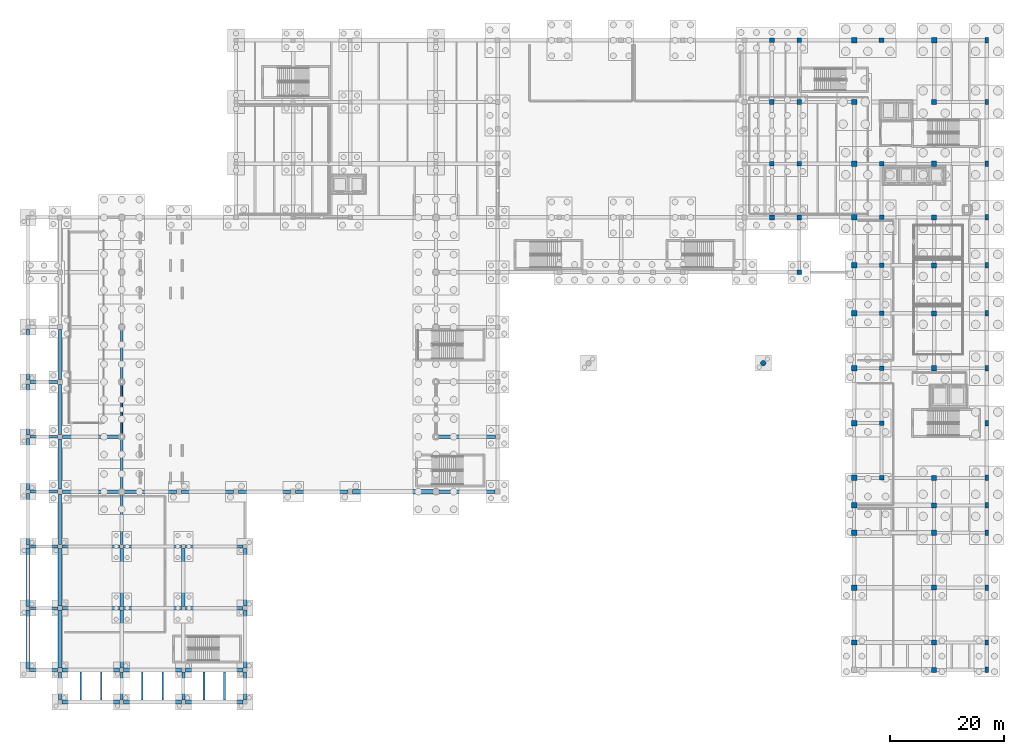
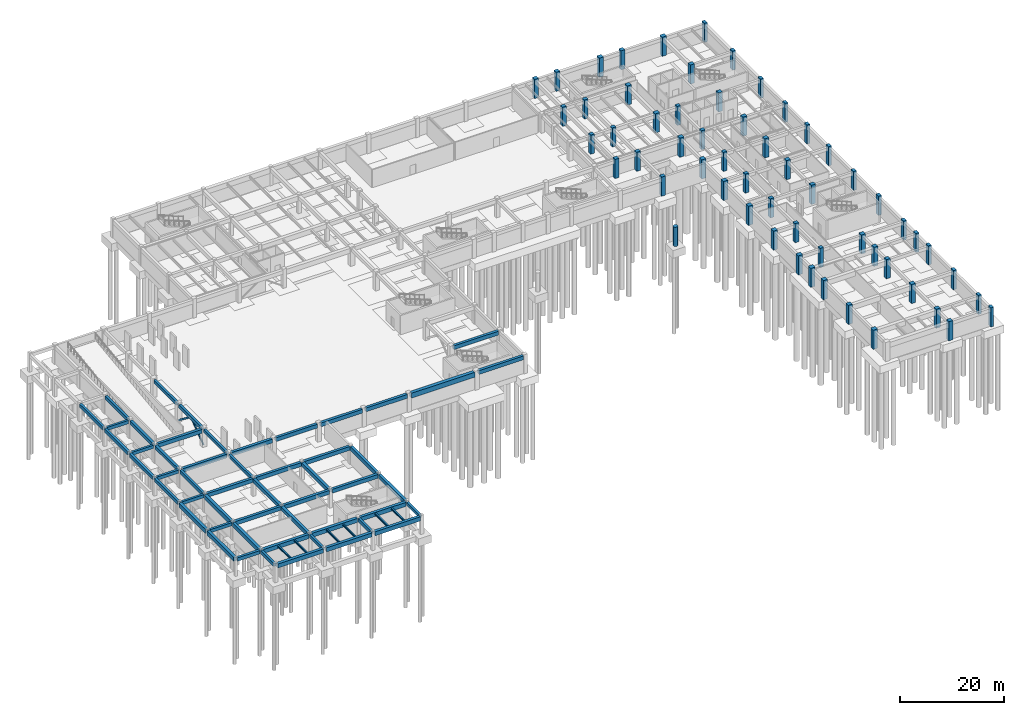
# One storey, part 8 of 33: 58 beams, 58 columns, 2 members.
"""IFC4 building model written with IfcOpenShell, lengths in metres."""

from ifc_helpers import new_model, si_unit, direction, frame, origin, origin_2d, place, context, subcontext, project, spatial, rectangle, hollow_rectangle, circle, i_section, extrude, material, material_profile, profile_set, type_object, element, save


model = new_model("IFC4")

# Units and contexts
model_context = context("Model", 3, precision=1e-05, world=origin(), true_north=direction((0.0, 1.0)))
body_context = subcontext(model_context, "Body", "Model", "MODEL_VIEW")
ifc_project = project(units=[si_unit("LENGTHUNIT", "METRE"), si_unit("AREAUNIT", "SQUARE_METRE"), si_unit("VOLUMEUNIT", "CUBIC_METRE"), si_unit("PLANEANGLEUNIT", "RADIAN"), si_unit("MASSUNIT", "GRAM", prefix="KILO")], contexts=[model_context])

# Site, building, storey
site_placement = place(None, origin())
site = spatial("IfcSite", under=ifc_project, at=site_placement, CompositionType="ELEMENT")
building_placement = place(site_placement, origin())
building = spatial("IfcBuilding", under=site, at=building_placement, Name="Veldera Park Congress Hotel", CompositionType="ELEMENT")
storey_placement = place(building_placement, frame((0.0, 0.0, -4.5)))
storey = spatial("IfcBuildingStorey", under=building, at=storey_placement, Name="B1", CompositionType="ELEMENT", Elevation=-4.5)

# Columns
ifc_material_1 = material(Name="Concrete f'c 50 MPa (7,250 psi)", Category="concrete")
ifc_material_profile_1 = material_profile(ifc_material_1, rectangle(XDim=0.64990234375, YDim=0.949951171875, at=origin_2d()), Name="RC 650x950")
ifc_profile_set_1 = profile_set([ifc_material_profile_1], Name="Concrete f'c 50 MPa (7,250 psi)")
column_type_1 = type_object("IfcColumnType", Name="COL-PIL90E", PredefinedType="PILASTER", material=ifc_profile_set_1)
for number, where, z_axis, x_axis, name in (
    (1, (84.0, -52.199951171875, 0.0), (0.0, 0.0, 1.0), (1.0, 0.0, 0.0), "B1 Column COL-PIL90E (84.0,-52.2)"),
    (2, (84.0, -47.39990234375, 0.0), (0.0, 0.0, 1.0), (1.0, 0.0, 0.0), "B1 Column COL-PIL90E (84.0,-47.4)"),
    (3, (84.0, -37.800048828125, 0.0), (0.0, 0.0, 1.0), (1.0, 0.0, 0.0), "B1 Column COL-PIL90E (84.0,-37.8)"),
    (4, (84.0, -28.199951171875, 0.0), (0.0, 0.0, 1.0), (1.0, 0.0, 0.0), "B1 Column COL-PIL90E (84.0,-28.2)"),
    (5, (84.0, -23.39990234375, 0.0), (0.0, 0.0, 1.0), (1.0, 0.0, 0.0), "B1 Column COL-PIL90E (84.0,-23.4)"),
    (6, (84.0, -18.60009765625, 0.0), (0.0, 0.0, 1.0), (1.0, 0.0, 0.0), "B1 Column COL-PIL90E (84.0,-18.6)"),
    (7, (84.0, -9.0, 0.0), (0.0, 0.0, 1.0), (1.0, 0.0, 0.0), "B1 Column COL-PIL90E (84.0,-9.0)"),
    (8, (84.0, 0.60009765625, 0.0), (0.0, 0.0, 1.0), (1.0, 0.0, 0.0), "B1 Column COL-PIL90E (84.0,0.6)"),
    (9, (84.0, 10.199951171875, 0.0), (0.0, 0.0, 1.0), (1.0, 0.0, 0.0), "B1 Column COL-PIL90E (84.0,10.2)"),
    (10, (84.0, 18.60009765625, 0.0), (0.0, 0.0, 1.0), (1.0, 0.0, 0.0), "B1 Column COL-PIL90E (84.0,18.6)"),
    (11, (84.0, 27.0, 0.0), (0.0, 0.0, 1.0), (1.0, 0.0, 0.0), "B1 Column COL-PIL90E (84.0,27.0)"),
    (12, (84.0, 36.39990234375, 0.0), (0.0, 0.0, 1.0), (1.0, 0.0, 0.0), "B1 Column COL-PIL90E (84.0,36.4)"),
    (13, (84.0, 47.199951171875, 0.0), (0.0, 0.0, 1.0), (1.0, 0.0, 0.0), "B1 Column COL-PIL90E (84.0,47.2)"),
    (14, (84.0, 58.0, 0.0), (0.0, 0.0, 1.0), (1.0, 0.0, 0.0), "B1 Column COL-PIL90E (84.0,58.0)"),
):
    element("IfcColumn", number, at=place(storey_placement, frame(where, z_axis=z_axis, x_axis=x_axis)), inside=storey, type_object=column_type_1, Name=name, PredefinedType="PILASTER", context=body_context, shape_type="SweptSolid", body=[
        extrude(rectangle(XDim=0.64990234375, YDim=0.949951171875, at=origin_2d()), origin(), (0.0, 0.0, 1.0), 4.5),
    ])
ifc_material_profile_2 = material_profile(ifc_material_1, rectangle(XDim=0.800048828125, YDim=0.800048828125, at=origin_2d()), Name="RC 800x800")
ifc_profile_set_2 = profile_set([ifc_material_profile_2], Name="Concrete f'c 50 MPa (7,250 psi)")
column_type_2 = type_object("IfcColumnType", Name="COL-RC80", PredefinedType="COLUMN", material=ifc_profile_set_2)
for number, where, z_axis, x_axis, name in (
    (15, (65.60009765625, -18.60009765625, 0.0), (0.0, 0.0, 1.0), (1.0, 0.0, 0.0), "B1 Column COL-RC80 (65.6,-18.6)"),
    (16, (65.60009765625, -9.0, 0.0), (0.0, 0.0, 1.0), (1.0, 0.0, 0.0), "B1 Column COL-RC80 (65.6,-9.0)"),
    (17, (65.60009765625, 0.60009765625, 0.0), (0.0, 0.0, 1.0), (1.0, 0.0, 0.0), "B1 Column COL-RC80 (65.6,0.6)"),
    (18, (65.60009765625, 10.199951171875, 0.0), (0.0, 0.0, 1.0), (1.0, 0.0, 0.0), "B1 Column COL-RC80 (65.6,10.2)"),
    (19, (65.60009765625, 18.60009765625, 0.0), (0.0, 0.0, 1.0), (1.0, 0.0, 0.0), "B1 Column COL-RC80 (65.6,18.6)"),
    (20, (65.60009765625, 27.0, 0.0), (0.0, 0.0, 1.0), (1.0, 0.0, 0.0), "B1 Column COL-RC80 (65.6,27.0)"),
    (21, (65.60009765625, 36.39990234375, 0.0), (0.0, 0.0, 1.0), (1.0, 0.0, 0.0), "B1 Column COL-RC80 (65.6,36.4)"),
    (22, (46.39990234375, 36.39990234375, 0.0), (0.0, 0.0, 1.0), (1.0, 0.0, 0.0), "B1 Column COL-RC80 (46.4,36.4)"),
    (23, (46.39990234375, 47.199951171875, 0.0), (0.0, 0.0, 1.0), (1.0, 0.0, 0.0), "B1 Column COL-RC80 (46.4,47.2)"),
    (24, (51.199951171875, 36.39990234375, 0.0), (0.0, 0.0, 1.0), (1.0, 0.0, 0.0), "B1 Column COL-RC80 (51.2,36.4)"),
    (25, (51.199951171875, 47.199951171875, 0.0), (0.0, 0.0, 1.0), (1.0, 0.0, 0.0), "B1 Column COL-RC80 (51.2,47.2)"),
):
    element("IfcColumn", number, at=place(storey_placement, frame(where, z_axis=z_axis, x_axis=x_axis)), inside=storey, type_object=column_type_2, Name=name, PredefinedType="COLUMN", context=body_context, shape_type="SweptSolid", body=[
        extrude(rectangle(XDim=0.800048828125, YDim=0.800048828125, at=origin_2d()), origin(), (0.0, 0.0, 1.0), 4.5),
    ])
ifc_material_profile_3 = material_profile(ifc_material_1, rectangle(XDim=0.85009765625, YDim=0.85009765625, at=origin_2d()), Name="RC 850x850")
ifc_profile_set_3 = profile_set([ifc_material_profile_3], Name="Concrete f'c 50 MPa (7,250 psi)")
column_type_3 = type_object("IfcColumnType", Name="COL-RC80E", PredefinedType="COLUMN", material=ifc_profile_set_3)
for number, where, z_axis, x_axis, name in (
    (26, (65.60009765625, 58.0, 0.0), (0.0, 0.0, 1.0), (1.0, 0.0, 0.0), "B1 Column COL-RC80E (65.6,58.0)"),
    (27, (46.39990234375, 27.0, 0.0), (0.0, 0.0, 1.0), (1.0, 0.0, 0.0), "B1 Column COL-RC80E (46.4,27.0)"),
    (28, (46.39990234375, 58.0, 0.0), (0.0, 0.0, 1.0), (1.0, 0.0, 0.0), "B1 Column COL-RC80E (46.4,58.0)"),
    (29, (51.199951171875, 17.39990234375, 0.0), (0.0, 0.0, 1.0), (1.0, 0.0, 0.0), "B1 Column COL-RC80E (51.2,17.4)"),
    (30, (51.199951171875, 27.0, 0.0), (0.0, 0.0, 1.0), (1.0, 0.0, 0.0), "B1 Column COL-RC80E (51.2,27.0)"),
    (31, (51.199951171875, 58.0, 0.0), (0.0, 0.0, 1.0), (1.0, 0.0, 0.0), "B1 Column COL-RC80E (51.2,58.0)"),
):
    element("IfcColumn", number, at=place(storey_placement, frame(where, z_axis=z_axis, x_axis=x_axis)), inside=storey, type_object=column_type_3, Name=name, PredefinedType="COLUMN", context=body_context, shape_type="SweptSolid", body=[
        extrude(rectangle(XDim=0.85009765625, YDim=0.85009765625, at=origin_2d()), origin(), (0.0, 0.0, 1.0), 4.5),
    ])
ifc_material_profile_4 = material_profile(ifc_material_1, rectangle(XDim=0.89990234375, YDim=0.89990234375, at=origin_2d()), Name="RC 900x900")
ifc_profile_set_4 = profile_set([ifc_material_profile_4], Name="Concrete f'c 50 MPa (7,250 psi)")
column_type_4 = type_object("IfcColumnType", Name="COL-RC90", PredefinedType="COLUMN", material=ifc_profile_set_4)
for number, where, z_axis, x_axis, name in (
    (32, (74.800048828125, -52.199951171875, 0.0), (0.0, 0.0, 1.0), (1.0, 0.0, 0.0), "B1 Column COL-RC90 (74.8,-52.2)"),
    (33, (74.800048828125, -47.39990234375, 0.0), (0.0, 0.0, 1.0), (1.0, 0.0, 0.0), "B1 Column COL-RC90 (74.8,-47.4)"),
    (34, (74.800048828125, -37.800048828125, 0.0), (0.0, 0.0, 1.0), (1.0, 0.0, 0.0), "B1 Column COL-RC90 (74.8,-37.8)"),
    (35, (74.800048828125, -28.199951171875, 0.0), (0.0, 0.0, 1.0), (1.0, 0.0, 0.0), "B1 Column COL-RC90 (74.8,-28.2)"),
    (36, (74.800048828125, -23.39990234375, 0.0), (0.0, 0.0, 1.0), (1.0, 0.0, 0.0), "B1 Column COL-RC90 (74.8,-23.4)"),
    (37, (74.800048828125, -18.60009765625, 0.0), (0.0, 0.0, 1.0), (1.0, 0.0, 0.0), "B1 Column COL-RC90 (74.8,-18.6)"),
    (38, (74.800048828125, 0.60009765625, 0.0), (0.0, 0.0, 1.0), (1.0, 0.0, 0.0), "B1 Column COL-RC90 (74.8,0.6)"),
    (39, (74.800048828125, 10.199951171875, 0.0), (0.0, 0.0, 1.0), (1.0, 0.0, 0.0), "B1 Column COL-RC90 (74.8,10.2)"),
    (40, (74.800048828125, 18.60009765625, 0.0), (0.0, 0.0, 1.0), (1.0, 0.0, 0.0), "B1 Column COL-RC90 (74.8,18.6)"),
    (41, (74.800048828125, 27.0, 0.0), (0.0, 0.0, 1.0), (1.0, 0.0, 0.0), "B1 Column COL-RC90 (74.8,27.0)"),
    (42, (74.800048828125, 36.39990234375, 0.0), (0.0, 0.0, 1.0), (1.0, 0.0, 0.0), "B1 Column COL-RC90 (74.8,36.4)"),
    (43, (74.800048828125, 47.199951171875, 0.0), (0.0, 0.0, 1.0), (1.0, 0.0, 0.0), "B1 Column COL-RC90 (74.8,47.2)"),
):
    element("IfcColumn", number, at=place(storey_placement, frame(where, z_axis=z_axis, x_axis=x_axis)), inside=storey, type_object=column_type_4, Name=name, PredefinedType="COLUMN", context=body_context, shape_type="SweptSolid", body=[
        extrude(rectangle(XDim=0.89990234375, YDim=0.89990234375, at=origin_2d()), origin(), (0.0, 0.0, 1.0), 4.5),
    ])
ifc_material_profile_5 = material_profile(ifc_material_1, rectangle(XDim=0.949951171875, YDim=0.949951171875, at=origin_2d()), Name="RC 950x950")
ifc_profile_set_5 = profile_set([ifc_material_profile_5], Name="Concrete f'c 50 MPa (7,250 psi)")
column_type_5 = type_object("IfcColumnType", Name="COL-RC90E", PredefinedType="COLUMN", material=ifc_profile_set_5)
for number, where, z_axis, x_axis, name in (
    (44, (60.800048828125, -47.39990234375, 0.0), (0.0, 0.0, 1.0), (1.0, 0.0, 0.0), "B1 Column COL-RC90E (60.8,-47.4)"),
    (45, (60.800048828125, -37.800048828125, 0.0), (0.0, 0.0, 1.0), (1.0, 0.0, 0.0), "B1 Column COL-RC90E (60.8,-37.8)"),
    (46, (60.800048828125, -28.199951171875, 0.0), (0.0, 0.0, 1.0), (1.0, 0.0, 0.0), "B1 Column COL-RC90E (60.8,-28.2)"),
    (47, (60.800048828125, -23.39990234375, 0.0), (0.0, 0.0, 1.0), (1.0, 0.0, 0.0), "B1 Column COL-RC90E (60.8,-23.4)"),
    (48, (60.800048828125, -18.60009765625, 0.0), (0.0, 0.0, 1.0), (1.0, 0.0, 0.0), "B1 Column COL-RC90E (60.8,-18.6)"),
    (49, (60.800048828125, -9.0, 0.0), (0.0, 0.0, 1.0), (1.0, 0.0, 0.0), "B1 Column COL-RC90E (60.8,-9.0)"),
    (50, (60.800048828125, 0.60009765625, 0.0), (0.0, 0.0, 1.0), (1.0, 0.0, 0.0), "B1 Column COL-RC90E (60.8,0.6)"),
    (51, (60.800048828125, 10.199951171875, 0.0), (0.0, 0.0, 1.0), (1.0, 0.0, 0.0), "B1 Column COL-RC90E (60.8,10.2)"),
    (52, (60.800048828125, 18.60009765625, 0.0), (0.0, 0.0, 1.0), (1.0, 0.0, 0.0), "B1 Column COL-RC90E (60.8,18.6)"),
    (53, (60.800048828125, 27.0, 0.0), (0.0, 0.0, 1.0), (1.0, 0.0, 0.0), "B1 Column COL-RC90E (60.8,27.0)"),
    (54, (60.800048828125, 36.39990234375, 0.0), (0.0, 0.0, 1.0), (1.0, 0.0, 0.0), "B1 Column COL-RC90E (60.8,36.4)"),
    (55, (60.800048828125, 47.199951171875, 0.0), (0.0, 0.0, 1.0), (1.0, 0.0, 0.0), "B1 Column COL-RC90E (60.8,47.2)"),
    (56, (60.800048828125, 58.0, 0.0), (0.0, 0.0, 1.0), (1.0, 0.0, 0.0), "B1 Column COL-RC90E (60.8,58.0)"),
    (57, (74.800048828125, 58.0, 0.0), (0.0, 0.0, 1.0), (1.0, 0.0, 0.0), "B1 Column COL-RC90E (74.8,58.0)"),
):
    element("IfcColumn", number, at=place(storey_placement, frame(where, z_axis=z_axis, x_axis=x_axis)), inside=storey, type_object=column_type_5, Name=name, PredefinedType="COLUMN", context=body_context, shape_type="SweptSolid", body=[
        extrude(rectangle(XDim=0.949951171875, YDim=0.949951171875, at=origin_2d()), origin(), (0.0, 0.0, 1.0), 4.5),
    ])
ifc_material_profile_6 = material_profile(ifc_material_1, circle(Radius=0.47509765625, at=origin_2d()), Name="RC D950")
ifc_profile_set_6 = profile_set([ifc_material_profile_6], Name="Concrete f'c 50 MPa (7,250 psi)")
column_type_6 = type_object("IfcColumnType", Name="COL-RCD90E", PredefinedType="COLUMN", material=ifc_profile_set_6)
column_placement = place(storey_placement, frame((44.89013671875, 1.489990234375, 0.0), z_axis=(0.0, 0.0, 1.0), x_axis=(1.0, 0.0, 0.0)))
element("IfcColumn", 58, at=column_placement, inside=storey, type_object=column_type_6, Name="B1 Column COL-RCD90E (44.9,1.5)", PredefinedType="COLUMN", context=body_context, shape_type="SweptSolid", body=[
    extrude(circle(Radius=0.47509765625, at=origin_2d()), origin(), (0.0, 0.0, 1.0), 4.5),
])

# Beams
ifc_material_2 = material(Name="Concrete f'c 40 MPa (5,800 psi)", Category="concrete")
ifc_material_profile_7 = material_profile(ifc_material_2, rectangle(XDim=0.75, YDim=1.14990234375, at=origin_2d()), Name="RC 750x1150")
ifc_profile_set_7 = profile_set([ifc_material_profile_7], Name="Concrete f'c 40 MPa (5,800 psi)")
beam_type_1 = type_object("IfcBeamType", Name="BM-RC1150", PredefinedType="BEAM", material=ifc_profile_set_7)
beam_1_placement = place(storey_placement, frame((-26.97509765625, -21.0, 3.625), z_axis=(1.0, 0.0, 0.0), x_axis=(0.0, 1.0, 0.0)))
element("IfcBeam", 59, at=beam_1_placement, inside=storey, type_object=beam_type_1, Name="B1 Girder BM-RC1150 32", PredefinedType="BEAM", context=body_context, shape_type="SweptSolid", body=[
    extrude(rectangle(XDim=0.75, YDim=1.14990234375, at=origin_2d()), origin(), (0.0, 0.0, 1.0), 14.0751953125),
])
ifc_material_profile_8 = material_profile(ifc_material_2, rectangle(XDim=0.5, YDim=0.75, at=origin_2d()), Name="RC 500x750")
ifc_profile_set_8 = profile_set([ifc_material_profile_8], Name="Concrete f'c 40 MPa (5,800 psi)")
beam_type_2 = type_object("IfcBeamType", Name="BM-RC750", PredefinedType="BEAM", material=ifc_profile_set_8)
for number, where, z_axis, x_axis, name in (
    (60, (-83.52490234375, -41.39990234375, 3.824951171875), (1.0, 0.0, 0.0), (0.0, 1.0, 0.0), "B1 Girder BM-RC750 12"),
    (61, (-83.52490234375, -30.60009765625, 3.824951171875), (1.0, 0.0, 0.0), (0.0, 1.0, 0.0), "B1 Girder BM-RC750 18"),
):
    element("IfcBeam", number, at=place(storey_placement, frame(where, z_axis=z_axis, x_axis=x_axis)), inside=storey, type_object=beam_type_2, Name=name, PredefinedType="BEAM", context=body_context, shape_type="SweptSolid", body=[
        extrude(rectangle(XDim=0.5, YDim=0.75, at=origin_2d()), origin(), (0.0, 0.0, 1.0), 4.974853515625),
    ])
for number, where, z_axis, x_axis, name in (
    (62, (-83.47509765625, -21.0, 3.824951171875), (1.0, 0.0, 0.0), (0.0, 1.0, 0.0), "B1 Girder BM-RC750 26"),
    (63, (-83.47509765625, -11.39990234375, 3.824951171875), (1.0, 0.0, 0.0), (0.0, 1.0, 0.0), "B1 Girder BM-RC750 37"),
    (64, (-83.47509765625, -1.800048828125, 3.824951171875), (1.0, 0.0, 0.0), (0.0, 1.0, 0.0), "B1 Girder BM-RC750 41"),
):
    element("IfcBeam", number, at=place(storey_placement, frame(where, z_axis=z_axis, x_axis=x_axis)), inside=storey, type_object=beam_type_2, Name=name, PredefinedType="BEAM", context=body_context, shape_type="SweptSolid", body=[
        extrude(rectangle(XDim=0.5, YDim=0.75, at=origin_2d()), origin(), (0.0, 0.0, 1.0), 4.85009765625),
    ])
beam_2_placement = place(storey_placement, frame((-67.39990234375, -57.449951171875, 3.824951171875), z_axis=(0.0, 1.0, 0.0), x_axis=(-1.0, 0.0, 0.0)))
element("IfcBeam", 65, at=beam_2_placement, inside=storey, type_object=beam_type_2, Name="B1 Girder BM-RC750 129", PredefinedType="BEAM", context=body_context, shape_type="SweptSolid", body=[
    extrude(rectangle(XDim=0.5, YDim=0.75, at=origin_2d()), origin(), (0.0, 0.0, 1.0), 4.89990234375),
])
beam_3_placement = place(storey_placement, frame((-67.39990234375, -30.27490234375, 3.824951171875), z_axis=(0.0, 1.0, 0.0), x_axis=(-1.0, 0.0, 0.0)))
element("IfcBeam", 66, at=beam_3_placement, inside=storey, type_object=beam_type_2, Name="B1 Girder BM-RC750 132", PredefinedType="BEAM", context=body_context, shape_type="SweptSolid", body=[
    extrude(rectangle(XDim=0.5, YDim=0.75, at=origin_2d()), origin(), (0.0, 0.0, 1.0), 8.77490234375),
])
beam_4_placement = place(storey_placement, frame((-67.39990234375, -20.5, 3.824951171875), z_axis=(0.0, 1.0, 0.0), x_axis=(-1.0, 0.0, 0.0)))
element("IfcBeam", 67, at=beam_4_placement, inside=storey, type_object=beam_type_2, Name="B1 Girder BM-RC750 133", PredefinedType="BEAM", context=body_context, shape_type="SweptSolid", body=[
    extrude(rectangle(XDim=0.5, YDim=0.75, at=origin_2d()), origin(), (0.0, 0.0, 1.0), 8.625),
])
beam_5_placement = place(storey_placement, frame((-67.39990234375, -10.925048828125, 3.824951171875), z_axis=(0.0, 1.0, 0.0), x_axis=(-1.0, 0.0, 0.0)))
element("IfcBeam", 68, at=beam_5_placement, inside=storey, type_object=beam_type_2, Name="B1 Girder BM-RC750 134", PredefinedType="BEAM", context=body_context, shape_type="SweptSolid", body=[
    extrude(rectangle(XDim=0.5, YDim=0.75, at=origin_2d()), origin(), (0.0, 0.0, 1.0), 8.650146484375),
])
beam_6_placement = place(storey_placement, frame((-67.39990234375, -1.324951171875, 3.824951171875), z_axis=(0.0, 1.0, 0.0), x_axis=(-1.0, 0.0, 0.0)))
element("IfcBeam", 69, at=beam_6_placement, inside=storey, type_object=beam_type_2, Name="B1 Girder BM-RC750 135", PredefinedType="BEAM", context=body_context, shape_type="SweptSolid", body=[
    extrude(rectangle(XDim=0.5, YDim=0.75, at=origin_2d()), origin(), (0.0, 0.0, 1.0), 8.64990234375),
])
for number, where, z_axis, x_axis, name in (
    (70, (-56.60009765625, -57.449951171875, 3.824951171875), (0.0, 1.0, 0.0), (-1.0, 0.0, 0.0), "B1 Girder BM-RC750 138"),
    (71, (-45.800048828125, -57.449951171875, 3.824951171875), (0.0, 1.0, 0.0), (-1.0, 0.0, 0.0), "B1 Girder BM-RC750 143"),
):
    element("IfcBeam", number, at=place(storey_placement, frame(where, z_axis=z_axis, x_axis=x_axis)), inside=storey, type_object=beam_type_2, Name=name, PredefinedType="BEAM", context=body_context, shape_type="SweptSolid", body=[
        extrude(rectangle(XDim=0.5, YDim=0.75, at=origin_2d()), origin(), (0.0, 0.0, 1.0), 4.89990234375),
    ])
ifc_material_profile_9 = material_profile(ifc_material_2, rectangle(XDim=0.550048828125, YDim=0.800048828125, at=origin_2d()), Name="RC 550x800")
ifc_profile_set_9 = profile_set([ifc_material_profile_9], Name="Concrete f'c 40 MPa (5,800 psi)")
beam_type_3 = type_object("IfcBeamType", Name="BM-RC750E", PredefinedType="BEAM", material=ifc_profile_set_9)
beam_7_placement = place(storey_placement, frame((-83.52490234375, -52.199951171875, 3.800048828125), z_axis=(1.0, 0.0, 0.0), x_axis=(0.0, 1.0, 0.0)))
element("IfcBeam", 72, at=beam_7_placement, inside=storey, type_object=beam_type_3, Name="B1 Girder BM-RC750E 4", PredefinedType="BEAM", context=body_context, shape_type="SweptSolid", body=[
    extrude(rectangle(XDim=0.550048828125, YDim=0.800048828125, at=origin_2d()), origin(), (0.0, 0.0, 1.0), 4.974853515625),
])
beam_8_placement = place(storey_placement, frame((-83.800048828125, -30.324951171875, 3.800048828125), z_axis=(0.0, 1.0, 0.0), x_axis=(-1.0, 0.0, 0.0)))
element("IfcBeam", 73, at=beam_8_placement, inside=storey, type_object=beam_type_3, Name="B1 Girder BM-RC750E 114", PredefinedType="BEAM", context=body_context, shape_type="SweptSolid", body=[
    extrude(rectangle(XDim=0.550048828125, YDim=0.800048828125, at=origin_2d()), origin(), (0.0, 0.0, 1.0), 9.0),
])
for number, where, z_axis, x_axis, name in (
    (74, (-83.800048828125, -20.675048828125, 3.800048828125), (0.0, 1.0, 0.0), (-1.0, 0.0, 0.0), "B1 Girder BM-RC750E 115"),
    (75, (-83.800048828125, -11.074951171875, 3.800048828125), (0.0, 1.0, 0.0), (-1.0, 0.0, 0.0), "B1 Girder BM-RC750E 116"),
):
    element("IfcBeam", number, at=place(storey_placement, frame(where, z_axis=z_axis, x_axis=x_axis)), inside=storey, type_object=beam_type_3, Name=name, PredefinedType="BEAM", context=body_context, shape_type="SweptSolid", body=[
        extrude(rectangle(XDim=0.550048828125, YDim=0.800048828125, at=origin_2d()), origin(), (0.0, 0.0, 1.0), 8.949951171875),
    ])
beam_9_placement = place(storey_placement, frame((-83.800048828125, -1.47509765625, 3.800048828125), z_axis=(0.0, 1.0, 0.0), x_axis=(-1.0, 0.0, 0.0)))
element("IfcBeam", 76, at=beam_9_placement, inside=storey, type_object=beam_type_3, Name="B1 Girder BM-RC750E 117", PredefinedType="BEAM", context=body_context, shape_type="SweptSolid", body=[
    extrude(rectangle(XDim=0.550048828125, YDim=0.800048828125, at=origin_2d()), origin(), (0.0, 0.0, 1.0), 8.9501953125),
])
beam_10_placement = place(storey_placement, frame((-78.199951171875, -57.449951171875, 3.800048828125), z_axis=(0.0, 1.0, 0.0), x_axis=(-1.0, 0.0, 0.0)))
element("IfcBeam", 77, at=beam_10_placement, inside=storey, type_object=beam_type_3, Name="B1 Girder BM-RC750E 120", PredefinedType="BEAM", context=body_context, shape_type="SweptSolid", body=[
    extrude(rectangle(XDim=0.550048828125, YDim=0.800048828125, at=origin_2d()), origin(), (0.0, 0.0, 1.0), 4.89990234375),
])
beam_11_placement = place(storey_placement, frame((-78.199951171875, -30.25, 3.800048828125), z_axis=(0.0, 1.0, 0.0), x_axis=(-1.0, 0.0, 0.0)))
element("IfcBeam", 78, at=beam_11_placement, inside=storey, type_object=beam_type_3, Name="B1 Girder BM-RC750E 123", PredefinedType="BEAM", context=body_context, shape_type="SweptSolid", body=[
    extrude(rectangle(XDim=0.550048828125, YDim=0.800048828125, at=origin_2d()), origin(), (0.0, 0.0, 1.0), 8.824951171875),
])
for number, where, z_axis, x_axis, name in (
    (79, (-78.199951171875, -20.574951171875, 3.800048828125), (0.0, 1.0, 0.0), (-1.0, 0.0, 0.0), "B1 Girder BM-RC750E 124"),
    (80, (-78.199951171875, -10.97509765625, 3.800048828125), (0.0, 1.0, 0.0), (-1.0, 0.0, 0.0), "B1 Girder BM-RC750E 125"),
    (81, (-78.199951171875, -1.375, 3.800048828125), (0.0, 1.0, 0.0), (-1.0, 0.0, 0.0), "B1 Girder BM-RC750E 126"),
):
    element("IfcBeam", number, at=place(storey_placement, frame(where, z_axis=z_axis, x_axis=x_axis)), inside=storey, type_object=beam_type_3, Name=name, PredefinedType="BEAM", context=body_context, shape_type="SweptSolid", body=[
        extrude(rectangle(XDim=0.550048828125, YDim=0.800048828125, at=origin_2d()), origin(), (0.0, 0.0, 1.0), 8.75),
    ])
ifc_material_profile_10 = material_profile(ifc_material_2, rectangle(XDim=0.60009765625, YDim=0.89990234375, at=origin_2d()), Name="RC 600x900")
ifc_profile_set_10 = profile_set([ifc_material_profile_10], Name="Concrete f'c 40 MPa (5,800 psi)")
beam_type_4 = type_object("IfcBeamType", Name="BM-RC900", PredefinedType="BEAM", material=ifc_profile_set_10)
beam_12_placement = place(storey_placement, frame((-77.85009765625, -41.39990234375, 3.75), z_axis=(1.0, 0.0, 0.0), x_axis=(0.0, 1.0, 0.0)))
element("IfcBeam", 82, at=beam_12_placement, inside=storey, type_object=beam_type_4, Name="B1 Girder BM-RC900 13", PredefinedType="BEAM", context=body_context, shape_type="SweptSolid", body=[
    extrude(rectangle(XDim=0.60009765625, YDim=0.89990234375, at=origin_2d()), origin(), (0.0, 0.0, 1.0), 10.125),
])
beam_13_placement = place(storey_placement, frame((-67.074951171875, -41.39990234375, 3.75), z_axis=(1.0, 0.0, 0.0), x_axis=(0.0, 1.0, 0.0)))
element("IfcBeam", 83, at=beam_13_placement, inside=storey, type_object=beam_type_4, Name="B1 Girder BM-RC900 14", PredefinedType="BEAM", context=body_context, shape_type="SweptSolid", body=[
    extrude(rectangle(XDim=0.60009765625, YDim=0.89990234375, at=origin_2d()), origin(), (0.0, 0.0, 1.0), 10.14990234375),
])
for number, where, z_axis, x_axis, name in (
    (84, (-56.27490234375, -41.39990234375, 3.75), (1.0, 0.0, 0.0), (0.0, 1.0, 0.0), "B1 Girder BM-RC900 15"),
    (85, (-77.85009765625, -30.60009765625, 3.75), (1.0, 0.0, 0.0), (0.0, 1.0, 0.0), "B1 Girder BM-RC900 19"),
):
    element("IfcBeam", number, at=place(storey_placement, frame(where, z_axis=z_axis, x_axis=x_axis)), inside=storey, type_object=beam_type_4, Name=name, PredefinedType="BEAM", context=body_context, shape_type="SweptSolid", body=[
        extrude(rectangle(XDim=0.60009765625, YDim=0.89990234375, at=origin_2d()), origin(), (0.0, 0.0, 1.0), 10.125),
    ])
beam_14_placement = place(storey_placement, frame((-67.074951171875, -30.60009765625, 3.75), z_axis=(1.0, 0.0, 0.0), x_axis=(0.0, 1.0, 0.0)))
element("IfcBeam", 86, at=beam_14_placement, inside=storey, type_object=beam_type_4, Name="B1 Girder BM-RC900 20", PredefinedType="BEAM", context=body_context, shape_type="SweptSolid", body=[
    extrude(rectangle(XDim=0.60009765625, YDim=0.89990234375, at=origin_2d()), origin(), (0.0, 0.0, 1.0), 10.14990234375),
])
beam_15_placement = place(storey_placement, frame((-56.27490234375, -30.60009765625, 3.75), z_axis=(1.0, 0.0, 0.0), x_axis=(0.0, 1.0, 0.0)))
element("IfcBeam", 87, at=beam_15_placement, inside=storey, type_object=beam_type_4, Name="B1 Girder BM-RC900 21", PredefinedType="BEAM", context=body_context, shape_type="SweptSolid", body=[
    extrude(rectangle(XDim=0.60009765625, YDim=0.89990234375, at=origin_2d()), origin(), (0.0, 0.0, 1.0), 10.125),
])
beam_16_placement = place(storey_placement, frame((-77.77490234375, -21.0, 3.75), z_axis=(1.0, 0.0, 0.0), x_axis=(0.0, 1.0, 0.0)))
element("IfcBeam", 88, at=beam_16_placement, inside=storey, type_object=beam_type_4, Name="B1 Girder BM-RC900 27", PredefinedType="BEAM", context=body_context, shape_type="SweptSolid", body=[
    extrude(rectangle(XDim=0.60009765625, YDim=0.89990234375, at=origin_2d()), origin(), (0.0, 0.0, 1.0), 9.875),
])
beam_17_placement = place(storey_placement, frame((-66.89990234375, -21.0, 3.75), z_axis=(1.0, 0.0, 0.0), x_axis=(0.0, 1.0, 0.0)))
element("IfcBeam", 89, at=beam_17_placement, inside=storey, type_object=beam_type_4, Name="B1 Girder BM-RC900 28", PredefinedType="BEAM", context=body_context, shape_type="SweptSolid", body=[
    extrude(rectangle(XDim=0.60009765625, YDim=0.89990234375, at=origin_2d()), origin(), (0.0, 0.0, 1.0), 9.074951171875),
])
for number, where, z_axis, x_axis, name in (
    (90, (-56.97509765625, -21.0, 3.75), (1.0, 0.0, 0.0), (0.0, 1.0, 0.0), "B1 Girder BM-RC900 29"),
    (91, (-46.97509765625, -21.0, 3.75), (1.0, 0.0, 0.0), (0.0, 1.0, 0.0), "B1 Girder BM-RC900 30"),
    (92, (-36.97509765625, -21.0, 3.75), (1.0, 0.0, 0.0), (0.0, 1.0, 0.0), "B1 Girder BM-RC900 31"),
):
    element("IfcBeam", number, at=place(storey_placement, frame(where, z_axis=z_axis, x_axis=x_axis)), inside=storey, type_object=beam_type_4, Name=name, PredefinedType="BEAM", context=body_context, shape_type="SweptSolid", body=[
        extrude(rectangle(XDim=0.60009765625, YDim=0.89990234375, at=origin_2d()), origin(), (0.0, 0.0, 1.0), 9.150146484375),
    ])
beam_18_placement = place(storey_placement, frame((-11.89990234375, -21.0, 3.75), z_axis=(1.0, 0.0, 0.0), x_axis=(0.0, 1.0, 0.0)))
element("IfcBeam", 93, at=beam_18_placement, inside=storey, type_object=beam_type_4, Name="B1 Girder BM-RC900 33", PredefinedType="BEAM", context=body_context, shape_type="SweptSolid", body=[
    extrude(rectangle(XDim=0.60009765625, YDim=0.89990234375, at=origin_2d()), origin(), (0.0, 0.0, 1.0), 9.875),
])
beam_19_placement = place(storey_placement, frame((-77.77490234375, -11.39990234375, 3.75), z_axis=(1.0, 0.0, 0.0), x_axis=(0.0, 1.0, 0.0)))
element("IfcBeam", 94, at=beam_19_placement, inside=storey, type_object=beam_type_4, Name="B1 Girder BM-RC900 38", PredefinedType="BEAM", context=body_context, shape_type="SweptSolid", body=[
    extrude(rectangle(XDim=0.60009765625, YDim=0.89990234375, at=origin_2d()), origin(), (0.0, 0.0, 1.0), 9.89990234375),
])
beam_20_placement = place(storey_placement, frame((-11.925048828125, -11.39990234375, 3.75), z_axis=(1.0, 0.0, 0.0), x_axis=(0.0, 1.0, 0.0)))
element("IfcBeam", 95, at=beam_20_placement, inside=storey, type_object=beam_type_4, Name="B1 Girder BM-RC900 39", PredefinedType="BEAM", context=body_context, shape_type="SweptSolid", body=[
    extrude(rectangle(XDim=0.60009765625, YDim=0.89990234375, at=origin_2d()), origin(), (0.0, 0.0, 1.0), 9.925048828125),
])
beam_21_placement = place(storey_placement, frame((-67.39990234375, -51.85009765625, 3.75), z_axis=(0.0, 1.0, 0.0), x_axis=(-1.0, 0.0, 0.0)))
element("IfcBeam", 96, at=beam_21_placement, inside=storey, type_object=beam_type_4, Name="B1 Girder BM-RC900 130", PredefinedType="BEAM", context=body_context, shape_type="SweptSolid", body=[
    extrude(rectangle(XDim=0.60009765625, YDim=0.89990234375, at=origin_2d()), origin(), (0.0, 0.0, 1.0), 10.125),
])
for number, where, z_axis, x_axis, name in (
    (97, (-67.39990234375, -41.074951171875, 3.75), (0.0, 1.0, 0.0), (-1.0, 0.0, 0.0), "B1 Girder BM-RC900 131"),
    (98, (-56.60009765625, -41.074951171875, 3.75), (0.0, 1.0, 0.0), (-1.0, 0.0, 0.0), "B1 Girder BM-RC900 139"),
):
    element("IfcBeam", number, at=place(storey_placement, frame(where, z_axis=z_axis, x_axis=x_axis)), inside=storey, type_object=beam_type_4, Name=name, PredefinedType="BEAM", context=body_context, shape_type="SweptSolid", body=[
        extrude(rectangle(XDim=0.60009765625, YDim=0.89990234375, at=origin_2d()), origin(), (0.0, 0.0, 1.0), 10.14990234375),
    ])
for number, where, z_axis, x_axis, name in (
    (99, (-45.800048828125, -51.85009765625, 3.75), (0.0, 1.0, 0.0), (-1.0, 0.0, 0.0), "B1 Girder BM-RC900 144"),
    (100, (-45.800048828125, -41.050048828125, 3.75), (0.0, 1.0, 0.0), (-1.0, 0.0, 0.0), "B1 Girder BM-RC900 145"),
):
    element("IfcBeam", number, at=place(storey_placement, frame(where, z_axis=z_axis, x_axis=x_axis)), inside=storey, type_object=beam_type_4, Name=name, PredefinedType="BEAM", context=body_context, shape_type="SweptSolid", body=[
        extrude(rectangle(XDim=0.60009765625, YDim=0.89990234375, at=origin_2d()), origin(), (0.0, 0.0, 1.0), 10.10009765625),
    ])
ifc_material_profile_11 = material_profile(ifc_material_2, rectangle(XDim=0.64990234375, YDim=0.949951171875, at=origin_2d()), Name="RC 650x950")
ifc_profile_set_11 = profile_set([ifc_material_profile_11], Name="Concrete f'c 40 MPa (5,800 psi)")
beam_type_5 = type_object("IfcBeamType", Name="BM-RC900E", PredefinedType="BEAM", material=ifc_profile_set_11)
for number, where, z_axis, x_axis, name in (
    (101, (-77.85009765625, -57.800048828125, 3.72509765625), (1.0, 0.0, 0.0), (0.0, 1.0, 0.0), "B1 Girder BM-RC900E 1"),
    (102, (-67.050048828125, -57.800048828125, 3.72509765625), (1.0, 0.0, 0.0), (0.0, 1.0, 0.0), "B1 Girder BM-RC900E 2"),
    (103, (-56.25, -57.800048828125, 3.72509765625), (1.0, 0.0, 0.0), (0.0, 1.0, 0.0), "B1 Girder BM-RC900E 3"),
    (104, (-77.85009765625, -52.199951171875, 3.72509765625), (1.0, 0.0, 0.0), (0.0, 1.0, 0.0), "B1 Girder BM-RC900E 5"),
    (105, (-67.050048828125, -52.199951171875, 3.72509765625), (1.0, 0.0, 0.0), (0.0, 1.0, 0.0), "B1 Girder BM-RC900E 6"),
    (106, (-56.25, -52.199951171875, 3.72509765625), (1.0, 0.0, 0.0), (0.0, 1.0, 0.0), "B1 Girder BM-RC900E 7"),
):
    element("IfcBeam", number, at=place(storey_placement, frame(where, z_axis=z_axis, x_axis=x_axis)), inside=storey, type_object=beam_type_5, Name=name, PredefinedType="BEAM", context=body_context, shape_type="SweptSolid", body=[
        extrude(rectangle(XDim=0.64990234375, YDim=0.949951171875, at=origin_2d()), origin(), (0.0, 0.0, 1.0), 10.10009765625),
    ])
for number, where, z_axis, x_axis, name in (
    (107, (-83.800048828125, -51.925048828125, 3.72509765625), (0.0, 1.0, 0.0), (-1.0, 0.0, 0.0), "B1 Girder BM-RC900E 112"),
    (108, (-83.800048828125, -41.125, 3.72509765625), (0.0, 1.0, 0.0), (-1.0, 0.0, 0.0), "B1 Girder BM-RC900E 113"),
):
    element("IfcBeam", number, at=place(storey_placement, frame(where, z_axis=z_axis, x_axis=x_axis)), inside=storey, type_object=beam_type_5, Name=name, PredefinedType="BEAM", context=body_context, shape_type="SweptSolid", body=[
        extrude(rectangle(XDim=0.64990234375, YDim=0.949951171875, at=origin_2d()), origin(), (0.0, 0.0, 1.0), 10.25),
    ])
for number, where, z_axis, x_axis, name in (
    (109, (-78.199951171875, -51.85009765625, 3.72509765625), (0.0, 1.0, 0.0), (-1.0, 0.0, 0.0), "B1 Girder BM-RC900E 121"),
    (110, (-78.199951171875, -41.050048828125, 3.72509765625), (0.0, 1.0, 0.0), (-1.0, 0.0, 0.0), "B1 Girder BM-RC900E 122"),
):
    element("IfcBeam", number, at=place(storey_placement, frame(where, z_axis=z_axis, x_axis=x_axis)), inside=storey, type_object=beam_type_5, Name=name, PredefinedType="BEAM", context=body_context, shape_type="SweptSolid", body=[
        extrude(rectangle(XDim=0.64990234375, YDim=0.949951171875, at=origin_2d()), origin(), (0.0, 0.0, 1.0), 10.10009765625),
    ])

# Members
ifc_material_3 = material(Name="Steel ASTM A500 Gr.C", Category="steel")
ifc_material_profile_12 = material_profile(ifc_material_3, hollow_rectangle(XDim=0.25, YDim=0.35009765625, WallThickness=0.01611328125, at=origin_2d()), Name="HSS250X350X16")
ifc_profile_set_12 = profile_set([ifc_material_profile_12], Name="Steel ASTM A500 Gr.C")
member_type = type_object("IfcMemberType", Name="BRC-HSS350", PredefinedType="BRACE", material=ifc_profile_set_12)
member_1_placement = place(storey_placement, frame((-67.39990234375, -11.39990234375, 0.199951171875), z_axis=(0.0, 0.797988782624, 0.602672301343), x_axis=(-1.0, 0.0, 0.0)))
element("IfcMember", 111, at=member_1_placement, inside=storey, type_object=member_type, Name="B1 Chevron Brace 1A", PredefinedType="BRACE", context=body_context, shape_type="SweptSolid", body=[
    extrude(hollow_rectangle(XDim=0.25, YDim=0.35009765625, WallThickness=0.01611328125, at=origin_2d()), origin(), (0.0, 0.0, 1.0), 6.014892578125),
])
member_2_placement = place(storey_placement, frame((-67.39990234375, -1.800048828125, 0.199951171875), z_axis=(0.0, -0.798003524564, 0.602652781279), x_axis=(1.0, 0.0, 0.0)))
element("IfcMember", 112, at=member_2_placement, inside=storey, type_object=member_type, Name="B1 Chevron Brace 1B", PredefinedType="BRACE", context=body_context, shape_type="SweptSolid", body=[
    extrude(hollow_rectangle(XDim=0.25, YDim=0.35009765625, WallThickness=0.01611328125, at=origin_2d()), origin(), (0.0, 0.0, 1.0), 6.01513671875),
])

# Beams
ifc_material_4 = material(Name="Steel ASTM A992 Gr.50", Category="steel")
ifc_material_profile_13 = material_profile(ifc_material_4, i_section(OverallWidth=0.280029296875, OverallDepth=0.462890625, WebThickness=0.0107421875, FlangeThickness=0.017333984375, at=origin_2d()), Name="W18X76")
ifc_profile_set_13 = profile_set([ifc_material_profile_13], Name="Steel ASTM A992 Gr.50")
beam_type_6 = type_object("IfcBeamType", Name="JST-W18B", PredefinedType="JOIST", material=ifc_profile_set_13)
for number, where, z_axis, x_axis, name in (
    (113, (-74.60009765625, -57.47509765625, 3.968505859375), (0.0, 1.0, 0.0), (-1.0, 0.0, 0.0), "B1 Floor Joist JST-W18B 218"),
    (114, (-71.0, -57.47509765625, 3.968505859375), (0.0, 1.0, 0.0), (-1.0, 0.0, 0.0), "B1 Floor Joist JST-W18B 219"),
    (115, (-63.800048828125, -57.47509765625, 3.968505859375), (0.0, 1.0, 0.0), (-1.0, 0.0, 0.0), "B1 Floor Joist JST-W18B 220"),
    (116, (-60.199951171875, -57.47509765625, 3.968505859375), (0.0, 1.0, 0.0), (-1.0, 0.0, 0.0), "B1 Floor Joist JST-W18B 221"),
    (117, (-53.0, -57.47509765625, 3.968505859375), (0.0, 1.0, 0.0), (-1.0, 0.0, 0.0), "B1 Floor Joist JST-W18B 222"),
    (118, (-49.39990234375, -57.47509765625, 3.968505859375), (0.0, 1.0, 0.0), (-1.0, 0.0, 0.0), "B1 Floor Joist JST-W18B 223"),
):
    element("IfcBeam", number, at=place(storey_placement, frame(where, z_axis=z_axis, x_axis=x_axis)), inside=storey, type_object=beam_type_6, Name=name, PredefinedType="JOIST", context=body_context, shape_type="SweptSolid", body=[
        extrude(i_section(OverallWidth=0.280029296875, OverallDepth=0.462890625, WebThickness=0.0107421875, FlangeThickness=0.017333984375, at=origin_2d()), origin(), (0.0, 0.0, 1.0), 4.9501953125),
    ])

save(model, "model.ifc")
